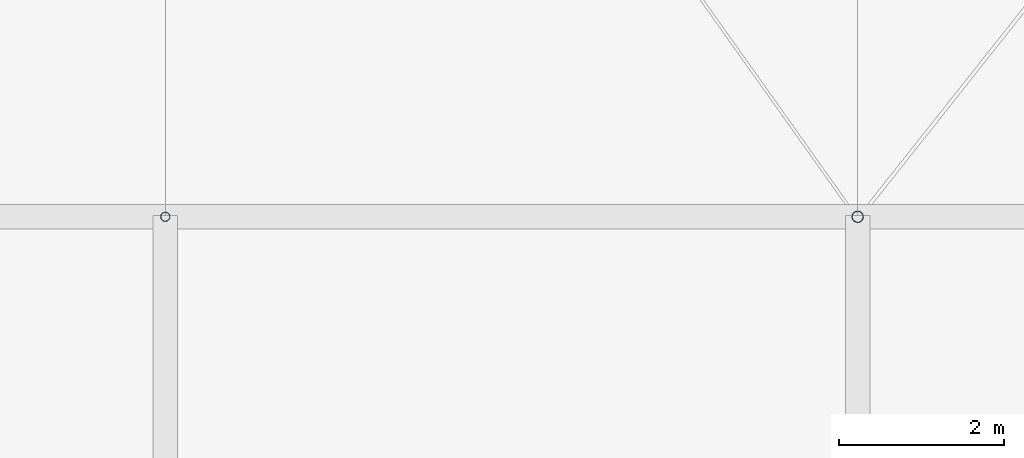
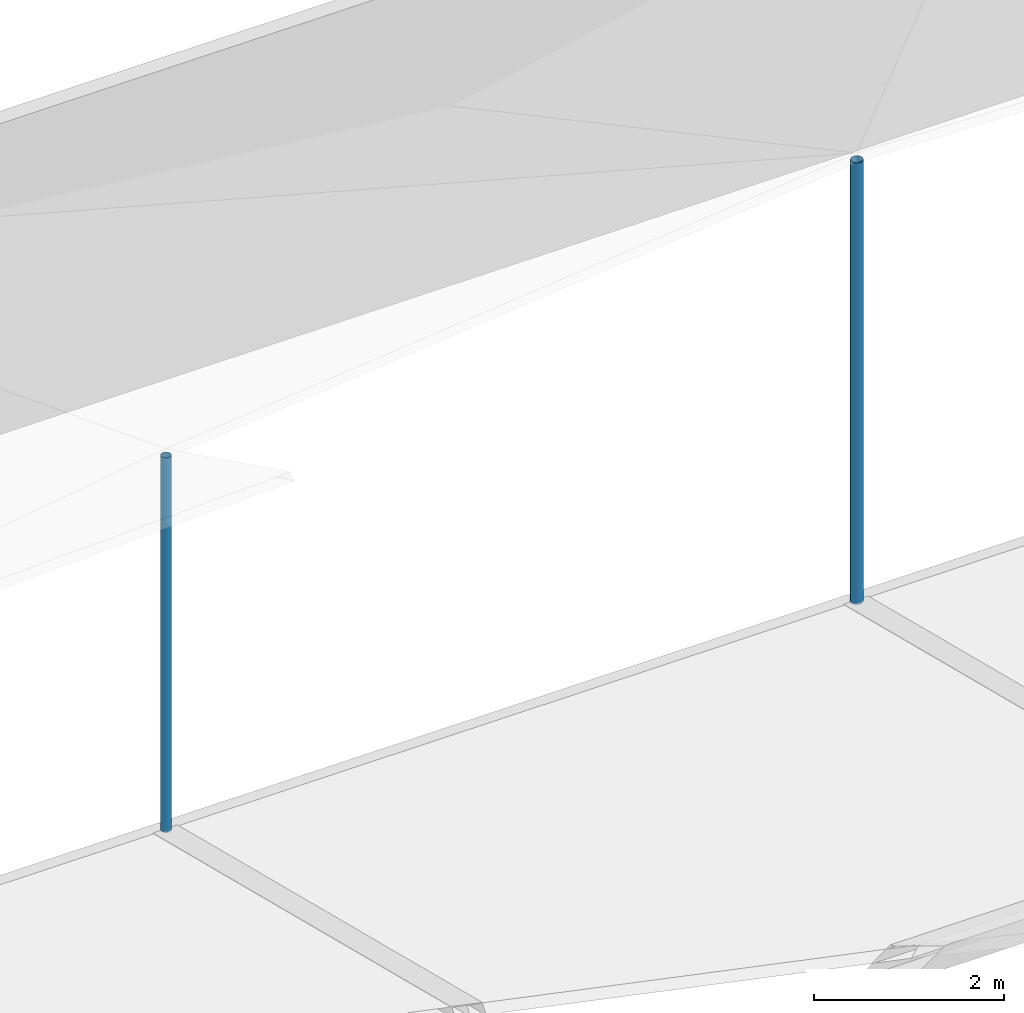
# One storey, part 68 of 111: 2 discrete accessories.
"""IFC4 building model written with IfcOpenShell, lengths in metres."""

from ifc_helpers import new_model, si_unit, direction, frame, origin, origin_2d, place, context, subcontext, project, spatial, hollow_circle, extrude, material, material_profile, profile_set, type_object, element, save


model = new_model("IFC4")

# Units and contexts
model_context = context("Model", 3, precision=1e-05, world=origin(), true_north=direction((0.0, 1.0)))
body_context = subcontext(model_context, "Body", "Model", "MODEL_VIEW")
ifc_project = project(units=[si_unit("LENGTHUNIT", "METRE"), si_unit("AREAUNIT", "SQUARE_METRE"), si_unit("VOLUMEUNIT", "CUBIC_METRE"), si_unit("PLANEANGLEUNIT", "RADIAN"), si_unit("MASSUNIT", "GRAM", prefix="KILO")], contexts=[model_context])

# Site, building, storey
site_placement = place(None, origin())
site = spatial("IfcSite", under=ifc_project, at=site_placement, CompositionType="ELEMENT")
building_placement = place(site_placement, origin())
building = spatial("IfcBuilding", under=site, at=building_placement, Name="Rain Tree Exposition and Congress Centre", CompositionType="ELEMENT")
storey_placement = place(building_placement, frame((0.0, 0.0, 19.5)))
storey = spatial("IfcBuildingStorey", under=building, at=storey_placement, Name="RF", CompositionType="ELEMENT", Elevation=19.5)

# Discrete accessories
ifc_material_1 = material(Name="Steel S355J2H", Category="steel")
ifc_material_profile_1 = material_profile(ifc_material_1, hollow_circle(Radius=0.05712890625, WallThickness=0.00439453125, at=origin_2d()), Name="CHS 114x4.5")
ifc_profile_set_1 = profile_set([ifc_material_profile_1], Name="Steel S355J2H")
discrete_accessory_type_1 = type_object("IfcDiscreteAccessoryType", Name="Roof skin post CHS 114x4.5", PredefinedType="BRACKET", material=ifc_profile_set_1)
discrete_accessory_1_placement = place(storey_placement, frame((92.39990234375, 193.199951171875, 1.11669921875), z_axis=(0.0, 0.0, 1.0), x_axis=(1.0, 0.0, 0.0)))
element("IfcDiscreteAccessory", 1, at=discrete_accessory_1_placement, inside=storey, type_object=discrete_accessory_type_1, Name="Roof skin post A176", PredefinedType="BRACKET", context=body_context, shape_type="SweptSolid", body=[
    extrude(hollow_circle(Radius=0.05712890625, WallThickness=0.00439453125, at=origin_2d()), origin(), (0.0, 0.0, 1.0), 4.819091796875),
])
ifc_material_2 = material(Name="Steel S355J2H", Category="steel")
ifc_material_profile_2 = material_profile(ifc_material_2, hollow_circle(Radius=0.06982421875, WallThickness=0.0048828125, at=origin_2d()), Name="CHS 140x5")
ifc_profile_set_2 = profile_set([ifc_material_profile_2], Name="Steel S355J2H")
discrete_accessory_type_2 = type_object("IfcDiscreteAccessoryType", Name="Roof skin post CHS 140x5", PredefinedType="BRACKET", material=ifc_profile_set_2)
discrete_accessory_2_placement = place(storey_placement, frame((100.800048828125, 193.199951171875, 1.11669921875), z_axis=(0.0, 0.0, 1.0), x_axis=(1.0, 0.0, 0.0)))
element("IfcDiscreteAccessory", 2, at=discrete_accessory_2_placement, inside=storey, type_object=discrete_accessory_type_2, Name="Roof skin post A177", PredefinedType="BRACKET", context=body_context, shape_type="SweptSolid", body=[
    extrude(hollow_circle(Radius=0.06982421875, WallThickness=0.0048828125, at=origin_2d()), origin(), (0.0, 0.0, 1.0), 5.67919921875),
])

save(model, "model.ifc")
